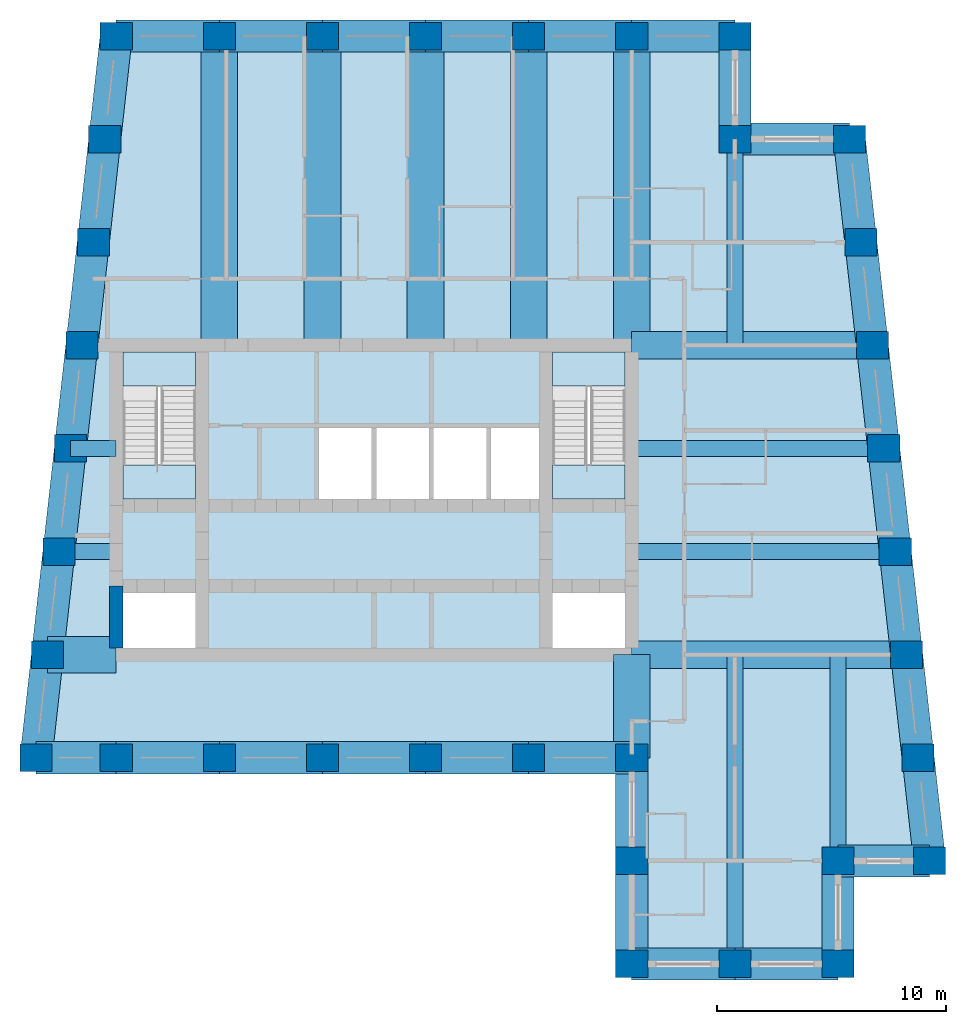
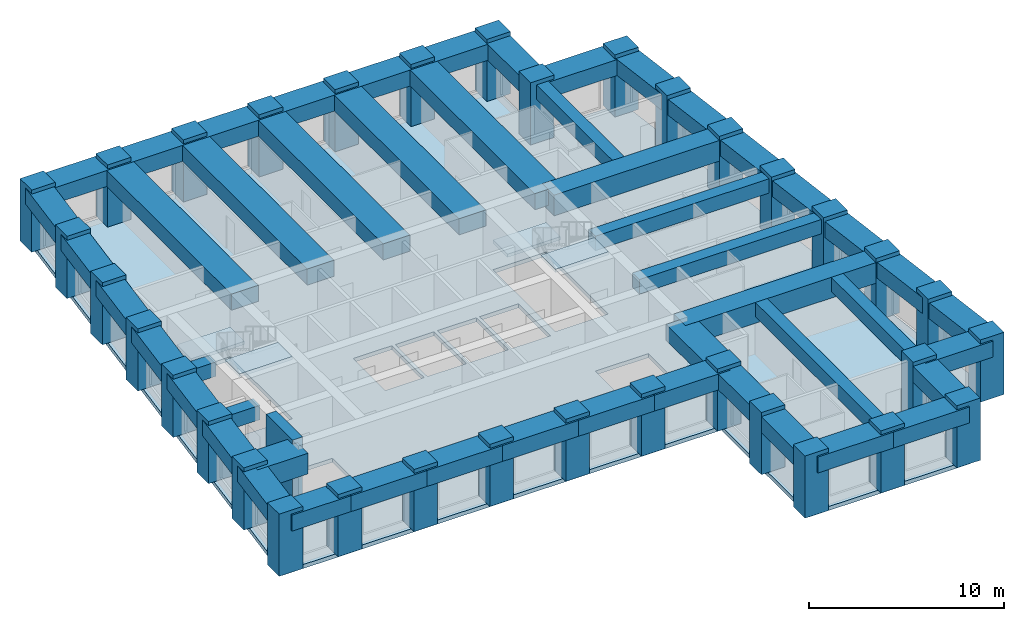
# One storey, part 1 of 7: 50 beams, 34 columns, 5 slabs, 1 wall, 2 elements without a shape of their own.
"""IFC4 building model written with IfcOpenShell, lengths in metres."""

import ifcopenshell
import ifcopenshell.guid

model = None  # the IFC model being written
_history = None  # IfcOwnerHistory: only IFC2X3 demands one
_inside = {}  # id of a spatial element -> (the spatial element, [elements in it])
_under = {}  # id of a project, library or spatial element -> (it, [spatial elements below it])
_declared = {}  # id of a project -> (the project, [libraries it declares])
_typed = {}  # id of a type object -> (the type object, [elements of that type])
_made_of = {}  # id of a material, layer set ... -> (it, [elements and type objects made of it])


def new_model(schema):
    """Start an empty IFC model of exactly this schema.

    Asked for "IFC4X3", IfcOpenShell would pick the latest addendum, in which some entities
    have other attributes; the version numbers below select the first issue.
    IFC2X3 requires an IfcOwnerHistory on every rooted entity: one is made here for all.
    """
    global model, _history
    if schema == "IFC4X3":
        model = ifcopenshell.file(schema_version=(4, 3, 0, 0))
    else:
        model = ifcopenshell.file(schema=schema)
    _inside.clear()
    _under.clear()
    _declared.clear()
    _typed.clear()
    _made_of.clear()
    _history = None
    if model.schema == "IFC2X3":
        org = make("IfcOrganization", Name="unknown")
        user = make(
            "IfcPersonAndOrganization",
            ThePerson=make("IfcPerson", FamilyName="unknown"),
            TheOrganization=org,
        )
        app = make(
            "IfcApplication",
            ApplicationDeveloper=org,
            Version="unknown",
            ApplicationFullName="unknown",
            ApplicationIdentifier="unknown",
        )
        _history = make(
            "IfcOwnerHistory",
            OwningUser=user,
            OwningApplication=app,
            ChangeAction="ADDED",
            CreationDate=0,
        )
    return model


def make(cls, **values):
    """One entity of the class cls with the attributes given. An attribute that is None is left unset."""
    return model.create_entity(
        cls, **{name: value for name, value in values.items() if value is not None}
    )


def rooted(cls, **values):
    """An entity with a GlobalId (a new one), such as an element, a storey or a relation."""
    return make(cls, GlobalId=ifcopenshell.guid.new(), OwnerHistory=_history, **values)


def si_unit(unit_type, name, prefix=None):
    """IfcSIUnit, for example si_unit("LENGTHUNIT", "METRE", prefix="MILLI")."""
    return make("IfcSIUnit", UnitType=unit_type, Prefix=prefix, Name=name)


def assignment(units):
    """IfcUnitAssignment: the units of a project."""
    return None if units is None else make("IfcUnitAssignment", Units=units)


def point(xyz):
    """IfcCartesianPoint."""
    return None if xyz is None else make("IfcCartesianPoint", Coordinates=xyz)


def direction(xyz):
    """IfcDirection."""
    return None if xyz is None else make("IfcDirection", DirectionRatios=xyz)


def frame(location, z_axis=None, x_axis=None):
    """IfcAxis2Placement3D, a coordinate frame: its origin and axes. An axis left out is left unset."""
    return make(
        "IfcAxis2Placement3D",
        Location=point(location),
        Axis=direction(z_axis),
        RefDirection=direction(x_axis),
    )


def frame_2d(location, x_axis=None):
    """IfcAxis2Placement2D, a coordinate frame in the plane: its origin and x axis."""
    return make(
        "IfcAxis2Placement2D", Location=point(location), RefDirection=direction(x_axis)
    )


def origin():
    """The frame at (0, 0, 0) with its axes left unset."""
    return frame((0.0, 0.0, 0.0))


def origin_2d():
    """The frame at (0, 0) in the plane with its x axis left unset."""
    return frame_2d((0.0, 0.0))


def place(relative_to, where):
    """IfcLocalPlacement: puts the frame where relative to a parent placement (None: the world)."""
    return make(
        "IfcLocalPlacement", PlacementRelTo=relative_to, RelativePlacement=where
    )


def context(
    kind, dimensions, precision=None, world=None, true_north=None, identifier=None
):
    """IfcGeometricRepresentationContext, for example the 3D "Model" context."""
    return make(
        "IfcGeometricRepresentationContext",
        ContextIdentifier=identifier,
        ContextType=kind,
        CoordinateSpaceDimension=dimensions,
        Precision=precision,
        WorldCoordinateSystem=world,
        TrueNorth=true_north,
    )


def subcontext(parent, identifier, kind, view, scale=None):
    """IfcGeometricRepresentationSubContext, for example "Body" below "Model"."""
    return make(
        "IfcGeometricRepresentationSubContext",
        ContextIdentifier=identifier,
        ContextType=kind,
        ParentContext=parent,
        TargetScale=scale,
        TargetView=view,
    )


def project(units=None, contexts=None):
    """IfcProject with its units and contexts."""
    return rooted(
        "IfcProject",
        Name="project",
        RepresentationContexts=contexts,
        UnitsInContext=assignment(units),
    )


def spatial(cls, under=None, at=None, **own):
    """A site, building, storey or space (cls), placed at a placement, below another one or the project."""
    s = rooted(cls, ObjectPlacement=at, **own)
    if under is not None:
        _under.setdefault(under.id(), (under, []))[1].append(s)
    return s


def polyline(points):
    """IfcPolyline through the points."""
    return make("IfcPolyline", Points=[point(p) for p in points])


def profile(cls, at=None, kind="AREA", **sizes):
    """A parametric profile (cls). Its sizes go by their IFC names, for example OverallWidth=200.0."""
    return make(cls, ProfileType=kind, Position=at, **sizes)


def rectangle(**sizes):
    """IfcRectangleProfileDef."""
    return profile("IfcRectangleProfileDef", **sizes)


def outline(outer, holes=None, kind="AREA"):
    """IfcArbitraryClosedProfileDef: a profile drawn as a closed curve; with holes, ...WithVoids."""
    if holes is None:
        return make("IfcArbitraryClosedProfileDef", ProfileType=kind, OuterCurve=outer)
    return make(
        "IfcArbitraryProfileDefWithVoids",
        ProfileType=kind,
        OuterCurve=outer,
        InnerCurves=holes,
    )


def extrude(swept, where, along, depth):
    """IfcExtrudedAreaSolid: the profile swept, set in the frame where, extruded along a direction by depth."""
    return make(
        "IfcExtrudedAreaSolid",
        SweptArea=swept,
        Position=where,
        ExtrudedDirection=direction(along),
        Depth=depth,
    )


def shape(context_of_items, identifier, shape_type, items):
    """IfcShapeRepresentation: the items that make up one representation, for example the "Body"."""
    return make(
        "IfcShapeRepresentation",
        ContextOfItems=context_of_items,
        RepresentationIdentifier=identifier,
        RepresentationType=shape_type,
        Items=items,
    )


def material(Name=None, Category=None):
    """IfcMaterial."""
    return make("IfcMaterial", Name=Name, Category=Category)


def layer(
    of_material, thickness, ventilated=None, Name=None, Category=None, Priority=None
):
    """IfcMaterialLayer: one layer of a wall or slab, of a material (None: an air gap)."""
    return make(
        "IfcMaterialLayer",
        Material=of_material,
        LayerThickness=thickness,
        IsVentilated=ventilated,
        Name=Name,
        Category=Category,
        Priority=Priority,
    )


def layer_set(layers, Name=None):
    """IfcMaterialLayerSet."""
    return make("IfcMaterialLayerSet", MaterialLayers=layers, LayerSetName=Name)


def material_profile(
    of_material, cross_section, Name=None, Category=None, Priority=None
):
    """IfcMaterialProfile: a cross section and its material."""
    return make(
        "IfcMaterialProfile",
        Name=Name,
        Material=of_material,
        Profile=cross_section,
        Priority=Priority,
        Category=Category,
    )


def profile_set(profiles, Name=None, composite=None):
    """IfcMaterialProfileSet."""
    return make(
        "IfcMaterialProfileSet",
        Name=Name,
        MaterialProfiles=profiles,
        CompositeProfile=composite,
    )


def made_of(thing, what):
    """Note that an element or type object is made of a material, layer set ...; save() writes the relation."""
    if what is not None:
        _made_of.setdefault(what.id(), (what, []))[1].append(thing)
    return thing


def type_object(cls, material=None, **own):
    """A type object (cls), such as IfcWallType, which elements share."""
    return made_of(rooted(cls, **own), material)


def element(
    cls,
    number,
    at=None,
    inside=None,
    cuts=None,
    type_object=None,
    material=None,
    context=None,
    identifier="Body",
    shape_type=None,
    held_by="IfcProductDefinitionShape",
    body=None,
    shapes=None,
    **own,
):
    """One element of the class cls, such as IfcWall. Its Tag is "e" and its number.

    at: its placement. inside: the storey or other place that contains it. cuts: it is an
    opening in that element (IfcRelVoidsElement). A single representation is given by context,
    identifier, shape_type and body (its items); several are given by shapes. held_by: the class
    of the entity that holds the representations. save() writes the other relations.
    """
    e = rooted(cls, Tag="e%d" % number, ObjectPlacement=at, **own)
    if body is not None:
        shapes = [shape(context, identifier, shape_type, body)]
    if shapes is not None:
        e.Representation = make(held_by, Representations=shapes)
    if inside is not None:
        _inside.setdefault(inside.id(), (inside, []))[1].append(e)
    if cuts is not None:
        rooted(
            "IfcRelVoidsElement", RelatingBuildingElement=cuts, RelatedOpeningElement=e
        )
    if type_object is not None:
        _typed.setdefault(type_object.id(), (type_object, []))[1].append(e)
    return made_of(e, material)


def aggregate(whole, parts):
    """IfcRelAggregates: a whole, such as a stair, and the parts it consists of."""
    return rooted("IfcRelAggregates", RelatingObject=whole, RelatedObjects=parts)


def save(model, path):
    """Write the relations noted so far, then the file.

    IfcRelAggregates (storeys below a building ...), IfcRelContainedInSpatialStructure (elements
    in a storey), IfcRelDefinesByType, IfcRelAssociatesMaterial and IfcRelDeclares: one each for
    every whole, place, type object, material and project.
    """
    for whole, parts in _under.values():
        aggregate(whole, parts)
    for where, things in _inside.values():
        rooted(
            "IfcRelContainedInSpatialStructure",
            RelatedElements=things,
            RelatingStructure=where,
        )
    for kind, things in _typed.values():
        rooted("IfcRelDefinesByType", RelatedObjects=things, RelatingType=kind)
    for what, things in _made_of.values():
        rooted("IfcRelAssociatesMaterial", RelatedObjects=things, RelatingMaterial=what)
    for by, libraries in _declared.values():
        rooted("IfcRelDeclares", RelatingContext=by, RelatedDefinitions=libraries)
    model.write(path)


model = new_model("IFC4")

# Units and contexts
model_context = context("Model", 3, precision=1e-05, world=origin(), true_north=direction((0.0, 1.0)))
body_context = subcontext(model_context, "Body", "Model", "MODEL_VIEW")
ifc_project = project(units=[si_unit("LENGTHUNIT", "METRE"), si_unit("AREAUNIT", "SQUARE_METRE"), si_unit("VOLUMEUNIT", "CUBIC_METRE"), si_unit("PLANEANGLEUNIT", "RADIAN"), si_unit("MASSUNIT", "GRAM", prefix="KILO")], contexts=[model_context])

# Site, building, storey
site_placement = place(None, origin())
site = spatial("IfcSite", under=ifc_project, at=site_placement, CompositionType="ELEMENT")
building_placement = place(site_placement, origin())
building = spatial("IfcBuilding", under=site, at=building_placement, Name="Kilele Tower Hotel", CompositionType="ELEMENT")
storey_placement = place(building_placement, frame((0.0, 0.0, 258.5)))
storey = spatial("IfcBuildingStorey", under=building, at=storey_placement, Name="L66", CompositionType="ELEMENT", Elevation=258.5)

# Columns
ifc_material_1 = material(Name="Concrete C60/75", Category="concrete")
ifc_material_profile_1 = material_profile(ifc_material_1, rectangle(XDim=1.39990234375, YDim=1.199951171875, at=origin_2d()))
ifc_profile_set_1 = profile_set([ifc_material_profile_1], Name="Concrete C60/75")
column_type = type_object("IfcColumnType", Name="Tube column RC 1400x1200 C60/75", PredefinedType="COLUMN", material=ifc_profile_set_1)
for number, where, z_axis, x_axis, name in (
    (1, (10.0, 9.0, 0.0), (0.0, 0.0, 1.0), (1.0, 0.0, 0.0), "Column TC5 L66"),
    (2, (13.5, 9.0, 0.0), (0.0, 0.0, 1.0), (1.0, 0.0, 0.0), "Column TC5 L66"),
    (3, (18.0, 9.0, 0.0), (0.0, 0.0, 1.0), (1.0, 0.0, 0.0), "Column TC5 L66"),
    (4, (22.5, 9.0, 0.0), (0.0, 0.0, 1.0), (1.0, 0.0, 0.0), "Column TC5 L66"),
    (5, (27.0, 9.0, 0.0), (0.0, 0.0, 1.0), (1.0, 0.0, 0.0), "Column TC5 L66"),
    (6, (31.5, 9.0, 0.0), (0.0, 0.0, 1.0), (1.0, 0.0, 0.0), "Column TC5 L66"),
    (7, (36.0, 9.0, 0.0), (0.0, 0.0, 1.0), (1.0, 0.0, 0.0), "Column TC5 L66"),
    (8, (36.0, 4.5, 0.0), (0.0, 0.0, 1.0), (1.0, 0.0, 0.0), "Column TC5 L66"),
    (9, (36.0, 0.0, 0.0), (0.0, 0.0, 1.0), (1.0, 0.0, 0.0), "Column TC5 L66"),
    (10, (40.5, 0.0, 0.0), (0.0, 0.0, 1.0), (1.0, 0.0, 0.0), "Column TC5 L66"),
    (11, (45.0, 0.0, 0.0), (0.0, 0.0, 1.0), (1.0, 0.0, 0.0), "Column TC5 L66"),
    (12, (45.0, 4.5, 0.0), (0.0, 0.0, 1.0), (1.0, 0.0, 0.0), "Column TC5 L66"),
    (13, (49.0, 4.5, 0.0), (0.0, 0.0, 1.0), (1.0, 0.0, 0.0), "Column TC5 L66"),
    (14, (48.5, 9.0, 0.0), (0.0, 0.0, 1.0), (1.0, 0.0, 0.0), "Column TC5 L66"),
    (15, (48.0, 13.5, 0.0), (0.0, 0.0, 1.0), (1.0, 0.0, 0.0), "Column TC5 L66"),
    (16, (47.5, 18.0, 0.0), (0.0, 0.0, 1.0), (1.0, 0.0, 0.0), "Column TC5 L66"),
    (17, (47.0, 22.5, 0.0), (0.0, 0.0, 1.0), (1.0, 0.0, 0.0), "Column TC5 L66"),
    (18, (46.5, 27.0, 0.0), (0.0, 0.0, 1.0), (1.0, 0.0, 0.0), "Column TC5 L66"),
    (19, (46.0, 31.5, 0.0), (0.0, 0.0, 1.0), (1.0, 0.0, 0.0), "Column TC5 L66"),
    (20, (45.5, 36.0, 0.0), (0.0, 0.0, 1.0), (1.0, 0.0, 0.0), "Column TC5 L66"),
    (21, (40.5, 36.0, 0.0), (0.0, 0.0, 1.0), (1.0, 0.0, 0.0), "Column TC5 L66"),
    (22, (40.5, 40.5, 0.0), (0.0, 0.0, 1.0), (1.0, 0.0, 0.0), "Column TC5 L66"),
    (23, (36.0, 40.5, 0.0), (0.0, 0.0, 1.0), (1.0, 0.0, 0.0), "Column TC5 L66"),
    (24, (31.5, 40.5, 0.0), (0.0, 0.0, 1.0), (1.0, 0.0, 0.0), "Column TC5 L66"),
    (25, (27.0, 40.5, 0.0), (0.0, 0.0, 1.0), (1.0, 0.0, 0.0), "Column TC5 L66"),
    (26, (22.5, 40.5, 0.0), (0.0, 0.0, 1.0), (1.0, 0.0, 0.0), "Column TC5 L66"),
    (27, (18.0, 40.5, 0.0), (0.0, 0.0, 1.0), (1.0, 0.0, 0.0), "Column TC5 L66"),
    (28, (13.5, 40.5, 0.0), (0.0, 0.0, 1.0), (1.0, 0.0, 0.0), "Column TC5 L66"),
    (29, (13.0, 36.0, 0.0), (0.0, 0.0, 1.0), (1.0, 0.0, 0.0), "Column TC5 L66"),
    (30, (12.5, 31.5, 0.0), (0.0, 0.0, 1.0), (1.0, 0.0, 0.0), "Column TC5 L66"),
    (31, (12.0, 27.0, 0.0), (0.0, 0.0, 1.0), (1.0, 0.0, 0.0), "Column TC5 L66"),
    (32, (11.5, 22.5, 0.0), (0.0, 0.0, 1.0), (1.0, 0.0, 0.0), "Column TC5 L66"),
    (33, (11.0, 18.0, 0.0), (0.0, 0.0, 1.0), (1.0, 0.0, 0.0), "Column TC5 L66"),
    (34, (10.5, 13.5, 0.0), (0.0, 0.0, 1.0), (1.0, 0.0, 0.0), "Column TC5 L66"),
):
    element("IfcColumn", number, at=place(storey_placement, frame(where, z_axis=z_axis, x_axis=x_axis)), inside=storey, type_object=column_type, Name=name, PredefinedType="COLUMN", context=body_context, shape_type="SweptSolid", body=[
        extrude(rectangle(XDim=1.39990234375, YDim=1.199951171875, at=origin_2d()), origin(), (0.0, 0.0, 1.0), 3.89990234375),
    ])

# Beams
ifc_material_2 = material(Name="Concrete C60/75", Category="concrete")
ifc_material_profile_2 = material_profile(ifc_material_2, rectangle(XDim=1.60009765625, YDim=1.0, at=origin_2d()))
ifc_profile_set_2 = profile_set([ifc_material_profile_2], Name="Concrete C60/75")
beam_type_1 = type_object("IfcBeamType", Name="Beam RC 1600x1000 C60/75", PredefinedType="BEAM", material=ifc_profile_set_2)
for number, where, z_axis, x_axis, name in (
    (35, (36.0, 40.5, 3.14990234375), (0.0, -1.0, 0.0), (1.0, 0.0, 0.0), "Beam BC1 level L67"),
    (36, (31.5, 40.5, 3.14990234375), (0.0, -1.0, 0.0), (1.0, 0.0, 0.0), "Beam BC1 level L67"),
    (37, (27.0, 40.5, 3.14990234375), (0.0, -1.0, 0.0), (1.0, 0.0, 0.0), "Beam BC1 level L67"),
    (38, (22.5, 40.5, 3.14990234375), (0.0, -1.0, 0.0), (1.0, 0.0, 0.0), "Beam BC1 level L67"),
    (39, (18.0, 40.5, 3.14990234375), (0.0, -1.0, 0.0), (1.0, 0.0, 0.0), "Beam BC1 level L67"),
):
    element("IfcBeam", number, at=place(storey_placement, frame(where, z_axis=z_axis, x_axis=x_axis)), inside=storey, type_object=beam_type_1, Name=name, PredefinedType="BEAM", context=body_context, shape_type="SweptSolid", body=[
        extrude(rectangle(XDim=1.60009765625, YDim=1.0, at=origin_2d()), origin(), (0.0, 0.0, 1.0), 13.5),
    ])
ifc_material_3 = material(Name="Concrete C60/75", Category="concrete")
ifc_material_profile_3 = material_profile(ifc_material_3, rectangle(XDim=1.60009765625, YDim=1.0, at=origin_2d()))
ifc_profile_set_3 = profile_set([ifc_material_profile_3], Name="Concrete C60/75")
beam_type_2 = type_object("IfcBeamType", Name="Beam RC 1600x1000 C60/75 short span", PredefinedType="BEAM", material=ifc_profile_set_3)
beam_1_placement = place(storey_placement, frame((36.0, 9.0, 3.14990234375), z_axis=(0.0, 1.0, 0.0), x_axis=(-1.0, 0.0, 0.0)))
element("IfcBeam", 40, at=beam_1_placement, inside=storey, type_object=beam_type_2, Name="Beam BC2 level L67", PredefinedType="BEAM", context=body_context, shape_type="SweptSolid", body=[
    extrude(rectangle(XDim=1.60009765625, YDim=1.0, at=origin_2d()), origin(), (0.0, 0.0, 1.0), 4.5),
])
ifc_material_4 = material(Name="Concrete C60/75", Category="concrete")
ifc_material_profile_4 = material_profile(ifc_material_4, rectangle(XDim=0.699951171875, YDim=0.89990234375, at=origin_2d()))
ifc_profile_set_4 = profile_set([ifc_material_profile_4], Name="Concrete C60/75")
beam_type_3 = type_object("IfcBeamType", Name="Beam RC 700x900 C60/75", PredefinedType="BEAM", material=ifc_profile_set_4)
beam_2_placement = place(storey_placement, frame((40.5, 0.0, 3.199951171875), z_axis=(0.0, 1.0, 0.0), x_axis=(-1.0, 0.0, 0.0)))
element("IfcBeam", 41, at=beam_2_placement, inside=storey, type_object=beam_type_3, Name="Beam B1 level L67", PredefinedType="BEAM", context=body_context, shape_type="SweptSolid", body=[
    extrude(rectangle(XDim=0.699951171875, YDim=0.89990234375, at=origin_2d()), origin(), (0.0, 0.0, 1.0), 13.5),
])
ifc_material_5 = material(Name="Concrete C60/75", Category="concrete")
ifc_material_profile_5 = material_profile(ifc_material_5, rectangle(XDim=0.699951171875, YDim=0.89990234375, at=origin_2d()))
ifc_profile_set_5 = profile_set([ifc_material_profile_5], Name="Concrete C60/75")
beam_type_4 = type_object("IfcBeamType", Name="Beam RC 700x900 C60/75 mid span", PredefinedType="BEAM", material=ifc_profile_set_5)
beam_3_placement = place(storey_placement, frame((45.0, 4.5, 3.199951171875), z_axis=(0.0, 1.0, 0.0), x_axis=(-1.0, 0.0, 0.0)))
element("IfcBeam", 42, at=beam_3_placement, inside=storey, type_object=beam_type_4, Name="Beam B2 level L67", PredefinedType="BEAM", context=body_context, shape_type="SweptSolid", body=[
    extrude(rectangle(XDim=0.699951171875, YDim=0.89990234375, at=origin_2d()), origin(), (0.0, 0.0, 1.0), 9.0),
])
beam_4_placement = place(storey_placement, frame((47.5, 18.0, 3.199951171875), z_axis=(-1.0, 0.0, 0.0), x_axis=(0.0, -1.0, 0.0)))
element("IfcBeam", 43, at=beam_4_placement, inside=storey, type_object=beam_type_4, Name="Beam B2 level L67", PredefinedType="BEAM", context=body_context, shape_type="SweptSolid", body=[
    extrude(rectangle(XDim=0.699951171875, YDim=0.89990234375, at=origin_2d()), origin(), (0.0, 0.0, 1.0), 11.5),
])
beam_5_placement = place(storey_placement, frame((47.0, 22.5, 3.199951171875), z_axis=(-1.0, 0.0, 0.0), x_axis=(0.0, -1.0, 0.0)))
element("IfcBeam", 44, at=beam_5_placement, inside=storey, type_object=beam_type_4, Name="Beam B2 level L67", PredefinedType="BEAM", context=body_context, shape_type="SweptSolid", body=[
    extrude(rectangle(XDim=0.699951171875, YDim=0.89990234375, at=origin_2d()), origin(), (0.0, 0.0, 1.0), 11.0),
])
beam_6_placement = place(storey_placement, frame((40.5, 36.0, 3.199951171875), z_axis=(0.0, -1.0, 0.0), x_axis=(1.0, 0.0, 0.0)))
element("IfcBeam", 45, at=beam_6_placement, inside=storey, type_object=beam_type_4, Name="Beam B2 level L67", PredefinedType="BEAM", context=body_context, shape_type="SweptSolid", body=[
    extrude(rectangle(XDim=0.699951171875, YDim=0.89990234375, at=origin_2d()), origin(), (0.0, 0.0, 1.0), 9.0),
])
ifc_material_6 = material(Name="Concrete C60/75", Category="concrete")
ifc_material_profile_6 = material_profile(ifc_material_6, rectangle(XDim=0.699951171875, YDim=0.89990234375, at=origin_2d()))
ifc_profile_set_6 = profile_set([ifc_material_profile_6], Name="Concrete C60/75")
beam_type_5 = type_object("IfcBeamType", Name="Beam RC 700x900 C60/75 short span", PredefinedType="BEAM", material=ifc_profile_set_6)
beam_7_placement = place(storey_placement, frame((11.5, 22.5, 3.199951171875), z_axis=(1.0, 0.0, 0.0), x_axis=(0.0, 1.0, 0.0)))
element("IfcBeam", 46, at=beam_7_placement, inside=storey, type_object=beam_type_5, Name="Beam B3 level L67", PredefinedType="BEAM", context=body_context, shape_type="SweptSolid", body=[
    extrude(rectangle(XDim=0.699951171875, YDim=0.89990234375, at=origin_2d()), origin(), (0.0, 0.0, 1.0), 2.0),
])
beam_8_placement = place(storey_placement, frame((11.0, 18.0, 3.199951171875), z_axis=(1.0, 0.0, 0.0), x_axis=(0.0, 1.0, 0.0)))
element("IfcBeam", 47, at=beam_8_placement, inside=storey, type_object=beam_type_5, Name="Beam B3 level L67", PredefinedType="BEAM", context=body_context, shape_type="SweptSolid", body=[
    extrude(rectangle(XDim=0.699951171875, YDim=0.89990234375, at=origin_2d()), origin(), (0.0, 0.0, 1.0), 2.5),
])
ifc_material_7 = material(Name="Concrete C60/75", Category="concrete")
ifc_material_profile_7 = material_profile(ifc_material_7, rectangle(XDim=1.60009765625, YDim=1.300048828125, at=origin_2d()))
ifc_profile_set_7 = profile_set([ifc_material_profile_7], Name="Concrete C60/75")
beam_type_6 = type_object("IfcBeamType", Name="Coupling girder RC 1600x1300 C60/75", PredefinedType="BEAM", material=ifc_profile_set_7)
beam_9_placement = place(storey_placement, frame((10.5, 13.5, 3.0), z_axis=(1.0, 0.0, 0.0), x_axis=(0.0, 1.0, 0.0)))
element("IfcBeam", 48, at=beam_9_placement, inside=storey, type_object=beam_type_6, Name="Coupling girder G2 level L67", PredefinedType="BEAM", context=body_context, shape_type="SweptSolid", body=[
    extrude(rectangle(XDim=1.60009765625, YDim=1.300048828125, at=origin_2d()), origin(), (0.0, 0.0, 1.0), 3.0),
])
ifc_material_8 = material(Name="Concrete C60/75", Category="concrete")
ifc_material_profile_8 = material_profile(ifc_material_8, rectangle(XDim=1.199951171875, YDim=1.300048828125, at=origin_2d()))
ifc_profile_set_8 = profile_set([ifc_material_profile_8], Name="Concrete C60/75")
beam_type_7 = type_object("IfcBeamType", Name="Girder RC 1200x1300 C60/75", PredefinedType="BEAM", material=ifc_profile_set_8)
beam_10_placement = place(storey_placement, frame((48.0, 13.5, 3.0), z_axis=(-1.0, 0.0, 0.0), x_axis=(0.0, -1.0, 0.0)))
element("IfcBeam", 49, at=beam_10_placement, inside=storey, type_object=beam_type_7, Name="Girder G1 level L67", PredefinedType="BEAM", context=body_context, shape_type="SweptSolid", body=[
    extrude(rectangle(XDim=1.199951171875, YDim=1.300048828125, at=origin_2d()), origin(), (0.0, 0.0, 1.0), 12.0),
])
ifc_material_9 = material(Name="Concrete C60/75", Category="concrete")
ifc_material_profile_9 = material_profile(ifc_material_9, rectangle(XDim=1.199951171875, YDim=1.300048828125, at=origin_2d()))
ifc_profile_set_9 = profile_set([ifc_material_profile_9], Name="Concrete C60/75")
beam_type_8 = type_object("IfcBeamType", Name="Girder RC 1200x1300 C60/75 mid span", PredefinedType="BEAM", material=ifc_profile_set_9)
beam_11_placement = place(storey_placement, frame((46.5, 27.0, 3.0), z_axis=(-1.0, 0.0, 0.0), x_axis=(0.0, -1.0, 0.0)))
element("IfcBeam", 50, at=beam_11_placement, inside=storey, type_object=beam_type_8, Name="Girder G3 level L67", PredefinedType="BEAM", context=body_context, shape_type="SweptSolid", body=[
    extrude(rectangle(XDim=1.199951171875, YDim=1.300048828125, at=origin_2d()), origin(), (0.0, 0.0, 1.0), 10.5),
])
ifc_material_10 = material(Name="Concrete C60/75", Category="concrete")
ifc_material_profile_10 = material_profile(ifc_material_10, rectangle(XDim=1.39990234375, YDim=1.0, at=origin_2d()))
ifc_profile_set_10 = profile_set([ifc_material_profile_10], Name="Concrete C60/75")
beam_type_9 = type_object("IfcBeamType", Name="Spandrel RC 1400x1000 C60/75", PredefinedType="SPANDREL", material=ifc_profile_set_10)
beam_12_placement = place(storey_placement, frame((10.0, 9.0, 3.14990234375), z_axis=(1.0, 0.0, 0.0), x_axis=(0.0, 1.0, 0.0)))
element("IfcBeam", 51, at=beam_12_placement, inside=storey, type_object=beam_type_9, Name="Spandrel SP1 level L67", PredefinedType="SPANDREL", context=body_context, shape_type="SweptSolid", body=[
    extrude(rectangle(XDim=1.39990234375, YDim=1.0, at=origin_2d()), origin(), (0.0, 0.0, 1.0), 3.5),
])
for number, where, z_axis, x_axis, name in (
    (52, (13.5, 9.0, 3.14990234375), (1.0, 0.0, 0.0), (0.0, 1.0, 0.0), "Spandrel SP1 level L67"),
    (53, (18.0, 9.0, 3.14990234375), (1.0, 0.0, 0.0), (0.0, 1.0, 0.0), "Spandrel SP1 level L67"),
    (54, (22.5, 9.0, 3.14990234375), (1.0, 0.0, 0.0), (0.0, 1.0, 0.0), "Spandrel SP1 level L67"),
    (55, (27.0, 9.0, 3.14990234375), (1.0, 0.0, 0.0), (0.0, 1.0, 0.0), "Spandrel SP1 level L67"),
    (56, (31.5, 9.0, 3.14990234375), (1.0, 0.0, 0.0), (0.0, 1.0, 0.0), "Spandrel SP1 level L67"),
    (57, (36.0, 9.0, 3.14990234375), (0.0, -1.0, 0.0), (1.0, 0.0, 0.0), "Spandrel SP1 level L67"),
    (58, (36.0, 4.5, 3.14990234375), (0.0, -1.0, 0.0), (1.0, 0.0, 0.0), "Spandrel SP1 level L67"),
    (59, (36.0, 0.0, 3.14990234375), (1.0, 0.0, 0.0), (0.0, 1.0, 0.0), "Spandrel SP1 level L67"),
    (60, (40.5, 0.0, 3.14990234375), (1.0, 0.0, 0.0), (0.0, 1.0, 0.0), "Spandrel SP1 level L67"),
    (61, (45.0, 0.0, 3.14990234375), (0.0, 1.0, 0.0), (-1.0, 0.0, 0.0), "Spandrel SP1 level L67"),
):
    element("IfcBeam", number, at=place(storey_placement, frame(where, z_axis=z_axis, x_axis=x_axis)), inside=storey, type_object=beam_type_9, Name=name, PredefinedType="SPANDREL", context=body_context, shape_type="SweptSolid", body=[
        extrude(rectangle(XDim=1.39990234375, YDim=1.0, at=origin_2d()), origin(), (0.0, 0.0, 1.0), 4.5),
    ])
beam_13_placement = place(storey_placement, frame((45.0, 4.5, 3.14990234375), z_axis=(1.0, 0.0, 0.0), x_axis=(0.0, 1.0, 0.0)))
element("IfcBeam", 62, at=beam_13_placement, inside=storey, type_object=beam_type_9, Name="Spandrel SP1 level L67", PredefinedType="SPANDREL", context=body_context, shape_type="SweptSolid", body=[
    extrude(rectangle(XDim=1.39990234375, YDim=1.0, at=origin_2d()), origin(), (0.0, 0.0, 1.0), 4.0),
])
for number, where, z_axis, x_axis, name in (
    (63, (49.0, 4.5, 3.14990234375), (-0.110431526075, 0.993883734674, 0.0), (-0.993883734674, -0.110431526075, 0.0), "Spandrel SP1 level L67"),
    (64, (48.5, 9.0, 3.14990234375), (-0.110431526075, 0.993883734674, 0.0), (-0.993883734674, -0.110431526075, 0.0), "Spandrel SP1 level L67"),
    (65, (48.0, 13.5, 3.14990234375), (-0.110431526075, 0.993883734674, 0.0), (-0.993883734674, -0.110431526075, 0.0), "Spandrel SP1 level L67"),
    (66, (47.5, 18.0, 3.14990234375), (-0.110431526075, 0.993883734674, 0.0), (-0.993883734674, -0.110431526075, 0.0), "Spandrel SP1 level L67"),
    (67, (47.0, 22.5, 3.14990234375), (-0.110431526075, 0.993883734674, 0.0), (-0.993883734674, -0.110431526075, 0.0), "Spandrel SP1 level L67"),
    (68, (46.5, 27.0, 3.14990234375), (-0.110431526075, 0.993883734674, 0.0), (-0.993883734674, -0.110431526075, 0.0), "Spandrel SP1 level L67"),
    (69, (46.0, 31.5, 3.14990234375), (-0.110431526075, 0.993883734674, 0.0), (-0.993883734674, -0.110431526075, 0.0), "Spandrel SP1 level L67"),
):
    element("IfcBeam", number, at=place(storey_placement, frame(where, z_axis=z_axis, x_axis=x_axis)), inside=storey, type_object=beam_type_9, Name=name, PredefinedType="SPANDREL", context=body_context, shape_type="SweptSolid", body=[
        extrude(rectangle(XDim=1.39990234375, YDim=1.0, at=origin_2d()), origin(), (0.0, 0.0, 1.0), 4.527587890625),
    ])
beam_14_placement = place(storey_placement, frame((45.5, 36.0, 3.14990234375), z_axis=(-1.0, 0.0, 0.0), x_axis=(0.0, -1.0, 0.0)))
element("IfcBeam", 70, at=beam_14_placement, inside=storey, type_object=beam_type_9, Name="Spandrel SP1 level L67", PredefinedType="SPANDREL", context=body_context, shape_type="SweptSolid", body=[
    extrude(rectangle(XDim=1.39990234375, YDim=1.0, at=origin_2d()), origin(), (0.0, 0.0, 1.0), 5.0),
])
for number, where, z_axis, x_axis, name in (
    (71, (40.5, 36.0, 3.14990234375), (0.0, 1.0, 0.0), (-1.0, 0.0, 0.0), "Spandrel SP1 level L67"),
    (72, (40.5, 40.5, 3.14990234375), (-1.0, 0.0, 0.0), (0.0, -1.0, 0.0), "Spandrel SP1 level L67"),
    (73, (36.0, 40.5, 3.14990234375), (-1.0, 0.0, 0.0), (0.0, -1.0, 0.0), "Spandrel SP1 level L67"),
    (74, (31.5, 40.5, 3.14990234375), (-1.0, 0.0, 0.0), (0.0, -1.0, 0.0), "Spandrel SP1 level L67"),
    (75, (27.0, 40.5, 3.14990234375), (-1.0, 0.0, 0.0), (0.0, -1.0, 0.0), "Spandrel SP1 level L67"),
    (76, (22.5, 40.5, 3.14990234375), (-1.0, 0.0, 0.0), (0.0, -1.0, 0.0), "Spandrel SP1 level L67"),
    (77, (18.0, 40.5, 3.14990234375), (-1.0, 0.0, 0.0), (0.0, -1.0, 0.0), "Spandrel SP1 level L67"),
):
    element("IfcBeam", number, at=place(storey_placement, frame(where, z_axis=z_axis, x_axis=x_axis)), inside=storey, type_object=beam_type_9, Name=name, PredefinedType="SPANDREL", context=body_context, shape_type="SweptSolid", body=[
        extrude(rectangle(XDim=1.39990234375, YDim=1.0, at=origin_2d()), origin(), (0.0, 0.0, 1.0), 4.5),
    ])
for number, where, z_axis, x_axis, name in (
    (78, (13.5, 40.5, 3.14990234375), (-0.110431526075, -0.993883734674, 0.0), (0.993883734674, -0.110431526075, 0.0), "Spandrel SP1 level L67"),
    (79, (13.0, 36.0, 3.14990234375), (-0.110431526075, -0.993883734674, 0.0), (0.993883734674, -0.110431526075, 0.0), "Spandrel SP1 level L67"),
    (80, (12.5, 31.5, 3.14990234375), (-0.110431526075, -0.993883734674, 0.0), (0.993883734674, -0.110431526075, 0.0), "Spandrel SP1 level L67"),
    (81, (12.0, 27.0, 3.14990234375), (-0.110431526075, -0.993883734674, 0.0), (0.993883734674, -0.110431526075, 0.0), "Spandrel SP1 level L67"),
    (82, (11.5, 22.5, 3.14990234375), (-0.110431526075, -0.993883734674, 0.0), (0.993883734674, -0.110431526075, 0.0), "Spandrel SP1 level L67"),
    (83, (11.0, 18.0, 3.14990234375), (-0.110431526075, -0.993883734674, 0.0), (0.993883734674, -0.110431526075, 0.0), "Spandrel SP1 level L67"),
    (84, (10.5, 13.5, 3.14990234375), (-0.110431526075, -0.993883734674, 0.0), (0.993883734674, -0.110431526075, 0.0), "Spandrel SP1 level L67"),
):
    element("IfcBeam", number, at=place(storey_placement, frame(where, z_axis=z_axis, x_axis=x_axis)), inside=storey, type_object=beam_type_9, Name=name, PredefinedType="SPANDREL", context=body_context, shape_type="SweptSolid", body=[
        extrude(rectangle(XDim=1.39990234375, YDim=1.0, at=origin_2d()), origin(), (0.0, 0.0, 1.0), 4.527587890625),
    ])

# Slab
ifc_material_11 = material(Name="Concrete C60/75", Category="concrete")
ifc_layer_1 = layer(ifc_material_11, 0.25)
ifc_layer_set_1 = layer_set([ifc_layer_1], Name="Concrete C60/75")
slab_type_1 = type_object("IfcSlabType", Name="Floor slab 250", PredefinedType="FLOOR", material=ifc_layer_set_1)
slab_1_placement = place(storey_placement, frame((0.0, 0.0, -0.25)))
element("IfcSlab", 85, at=slab_1_placement, inside=storey, type_object=slab_type_1, Name="Floor slab L66", PredefinedType="FLOOR", context=body_context, shape_type="SweptSolid", body=[
    extrude(outline(polyline([(40.800048828125, 40.800048828125), (40.800048828125, 36.300048828125), (45.7685546875, 36.300048828125), (49.335205078125, 4.199951171875), (45.300048828125, 4.199951171875), (45.300048828125, -0.300048828125), (35.699951171875, -0.300048828125), (35.699951171875, 8.699951171875), (9.664794921875, 8.699951171875), (13.2314453125, 40.800048828125), (40.800048828125, 40.800048828125)]), holes=[polyline([(16.949951171875, 16.199951171875), (13.800048828125, 16.199951171875), (13.800048828125, 13.800048828125), (16.949951171875, 13.800048828125), (16.949951171875, 16.199951171875)]), polyline([(35.699951171875, 16.199951171875), (32.550048828125, 16.199951171875), (32.550048828125, 13.800048828125), (35.699951171875, 13.800048828125), (35.699951171875, 16.199951171875)]), polyline([(24.64990234375, 23.39990234375), (22.35009765625, 23.39990234375), (22.35009765625, 20.10009765625), (24.64990234375, 20.10009765625), (24.64990234375, 23.39990234375)]), polyline([(27.14990234375, 23.39990234375), (24.85009765625, 23.39990234375), (24.85009765625, 20.10009765625), (27.14990234375, 20.10009765625), (27.14990234375, 23.39990234375)]), polyline([(29.64990234375, 23.39990234375), (27.35009765625, 23.39990234375), (27.35009765625, 20.10009765625), (29.64990234375, 20.10009765625), (29.64990234375, 23.39990234375)]), polyline([(32.14990234375, 23.39990234375), (29.85009765625, 23.39990234375), (29.85009765625, 20.10009765625), (32.14990234375, 20.10009765625), (32.14990234375, 23.39990234375)]), polyline([(16.949951171875, 26.699951171875), (13.800048828125, 26.699951171875), (13.800048828125, 20.300048828125), (16.949951171875, 20.300048828125), (16.949951171875, 26.699951171875)]), polyline([(35.699951171875, 26.699951171875), (32.550048828125, 26.699951171875), (32.550048828125, 20.300048828125), (35.699951171875, 20.300048828125), (35.699951171875, 26.699951171875)])]), origin(), (0.0, 0.0, 1.0), 0.25),
])

# Stair, slabs
ifc_material_12 = material(Name="Precast concrete C40/50", Category="concrete")
stair_type = type_object("IfcStairType", Name="Stair 1475 x 3900", PredefinedType="HALF_TURN_STAIR", material=ifc_material_12)
stair_1_placement = place(storey_placement, origin())
stair_1 = element("IfcStair", 86, at=stair_1_placement, inside=storey, type_object=stair_type, Name="Stair 1 L66", PredefinedType="HALF_TURN_STAIR")
ifc_material_13 = material(Name="Precast concrete C40/50", Category="concrete")
ifc_layer_2 = layer(ifc_material_13, 0.199951171875)
ifc_layer_set_2 = layer_set([ifc_layer_2], Name="Precast concrete C40/50")
slab_type_2 = type_object("IfcSlabType", Name="Stair landing 200", PredefinedType="LANDING", material=ifc_layer_set_2)
slab_2_placement = place(storey_placement, frame((0.0, 0.0, 1.665283203125)))
slab_2 = element("IfcSlab", 87, at=slab_2_placement, type_object=slab_type_2, Name="ST1 landing 1", PredefinedType="LANDING", context=body_context, shape_type="SweptSolid", body=[
    extrude(outline(polyline([(13.800048828125, 25.22509765625), (16.949951171875, 25.22509765625), (16.949951171875, 26.699951171875), (13.800048828125, 26.699951171875), (13.800048828125, 25.22509765625)])), origin(), (0.0, 0.0, 1.0), 0.199951171875),
])
slab_3_placement = place(storey_placement, frame((0.0, 0.0, 3.699951171875)))
slab_3 = element("IfcSlab", 88, at=slab_3_placement, type_object=slab_type_2, Name="ST1 landing 2", PredefinedType="LANDING", context=body_context, shape_type="SweptSolid", body=[
    extrude(outline(polyline([(13.800048828125, 20.300048828125), (16.949951171875, 20.300048828125), (16.949951171875, 21.77490234375), (13.800048828125, 21.77490234375), (13.800048828125, 20.300048828125)])), origin(), (0.0, 0.0, 1.0), 0.199951171875),
])
aggregate(stair_1, [slab_2, slab_3])

stair_2_placement = place(storey_placement, origin())
stair_2 = element("IfcStair", 89, at=stair_2_placement, inside=storey, type_object=stair_type, Name="Stair 2 L66", PredefinedType="HALF_TURN_STAIR")
slab_4_placement = place(storey_placement, frame((0.0, 0.0, 1.665283203125)))
slab_4 = element("IfcSlab", 90, at=slab_4_placement, type_object=slab_type_2, Name="ST2 landing 1", PredefinedType="LANDING", context=body_context, shape_type="SweptSolid", body=[
    extrude(outline(polyline([(32.550048828125, 25.22509765625), (35.699951171875, 25.22509765625), (35.699951171875, 26.699951171875), (32.550048828125, 26.699951171875), (32.550048828125, 25.22509765625)])), origin(), (0.0, 0.0, 1.0), 0.199951171875),
])
slab_5_placement = place(storey_placement, frame((0.0, 0.0, 3.699951171875)))
slab_5 = element("IfcSlab", 91, at=slab_5_placement, type_object=slab_type_2, Name="ST2 landing 2", PredefinedType="LANDING", context=body_context, shape_type="SweptSolid", body=[
    extrude(outline(polyline([(32.550048828125, 20.300048828125), (35.699951171875, 20.300048828125), (35.699951171875, 21.77490234375), (32.550048828125, 21.77490234375), (32.550048828125, 20.300048828125)])), origin(), (0.0, 0.0, 1.0), 0.199951171875),
])
aggregate(stair_2, [slab_4, slab_5])

# Wall
ifc_material_14 = material(Name="Concrete C60/75", Category="concrete")
ifc_layer_3 = layer(ifc_material_14, 0.60009765625)
ifc_layer_set_3 = layer_set([ifc_layer_3], Name="Concrete C60/75")
wall_type = type_object("IfcWallType", Name="Core wall 600 C60/75", PredefinedType="SHEAR", material=ifc_layer_set_3)
wall_placement = place(storey_placement, frame((13.5, 16.5, 0.0), z_axis=(0.0, 0.0, 1.0), x_axis=(0.0, -1.0, 0.0)))
element("IfcWall", 92, at=wall_placement, inside=storey, type_object=wall_type, Name="Core wall W3 L66", PredefinedType="SHEAR", context=body_context, shape_type="SweptSolid", body=[
    extrude(rectangle(XDim=2.699951171875, YDim=0.60009765625, at=frame_2d((1.35009765625, 0.0))), origin(), (0.0, 0.0, 1.0), 3.89990234375),
])

save(model, "model.ifc")
